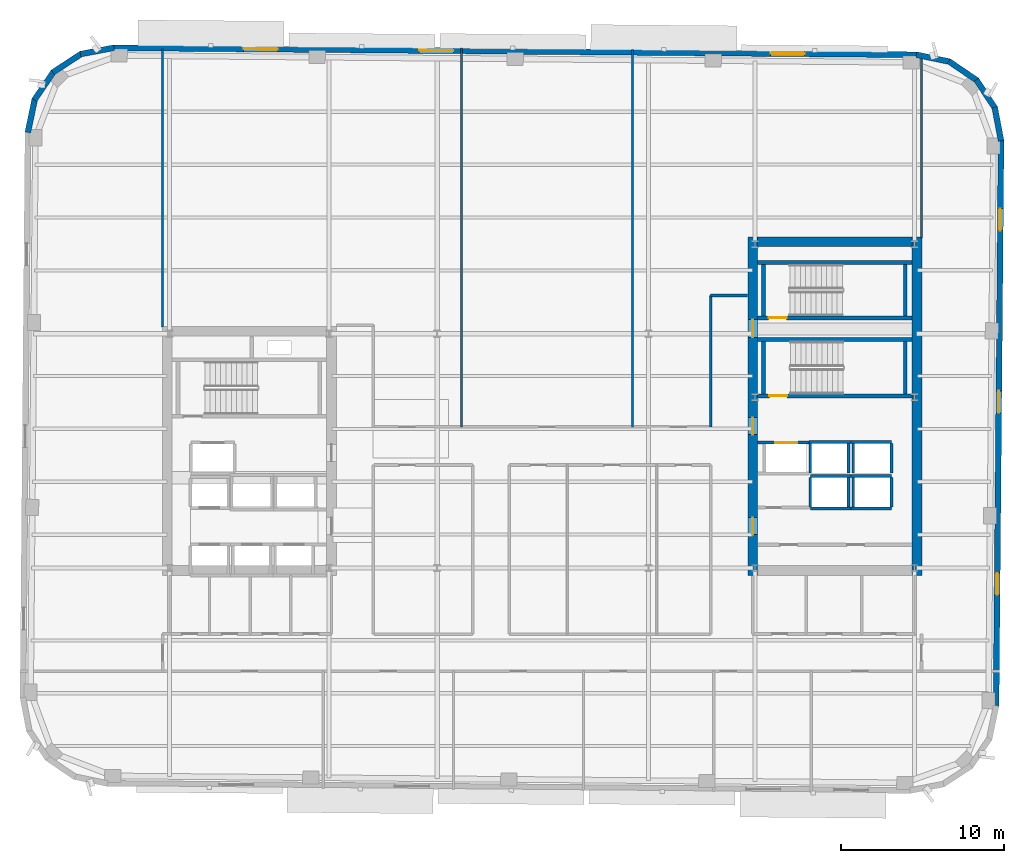
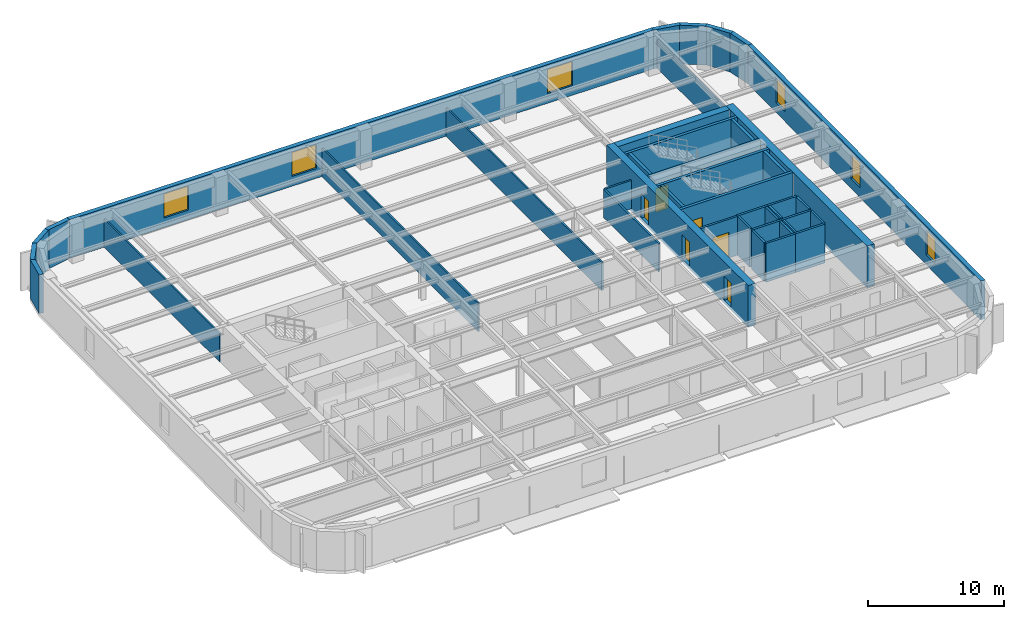
# One storey, part 6 of 12: 42 walls, 6 doors, 6 windows, 12 openings.
"""IFC4 building model written with IfcOpenShell, lengths in metres."""

from ifc_helpers import new_model, si_unit, direction, frame, frame_2d, origin, place, context, subcontext, project, spatial, rectangle, extrude, material, layer, layer_set, type_object, element, fill, save


model = new_model("IFC4")

# Units and contexts
model_context = context("Model", 3, precision=1e-05, world=origin(), true_north=direction((0.0, 1.0)))
body_context = subcontext(model_context, "Body", "Model", "MODEL_VIEW")
ifc_project = project(units=[si_unit("LENGTHUNIT", "METRE"), si_unit("AREAUNIT", "SQUARE_METRE"), si_unit("VOLUMEUNIT", "CUBIC_METRE"), si_unit("PLANEANGLEUNIT", "RADIAN"), si_unit("MASSUNIT", "GRAM", prefix="KILO")], contexts=[model_context])

# Site, building, storey
site_placement = place(None, origin())
site = spatial("IfcSite", under=ifc_project, at=site_placement, CompositionType="ELEMENT")
building_placement = place(site_placement, origin())
building = spatial("IfcBuilding", under=site, at=building_placement, Name="Kolvaren Arena Tower", CompositionType="ELEMENT")
storey_placement = place(building_placement, frame((0.0, 0.0, 199.699951171875)))
storey = spatial("IfcBuildingStorey", under=building, at=storey_placement, Name="L48", CompositionType="ELEMENT", Elevation=199.699951171875)

# Walls
ifc_material_1 = material(Name="Gypsum board acoustic assembly", Category="gypsum")
ifc_layer_1 = layer(ifc_material_1, 0.159912109375)
ifc_layer_set_1 = layer_set([ifc_layer_1], Name="Gypsum board acoustic assembly")
wall_type_1 = type_object("IfcWallType", Name="CORR-160", PredefinedType="PARTITIONING", material=ifc_layer_set_1)
wall_1_placement = place(storey_placement, frame((47.820068359375, 28.1201171875, 0.0), z_axis=(0.0, 0.0, 1.0), x_axis=(0.0, 1.0, 0.0)))
element("IfcWall", 1, at=wall_1_placement, inside=storey, type_object=wall_type_1, Name="Interior Partition Wall (L48)", PredefinedType="PARTITIONING", context=body_context, shape_type="SweptSolid", body=[
    extrude(rectangle(XDim=8.079833984375, YDim=0.159912109375, at=frame_2d((4.0400390625, 0.0))), origin(), (0.0, 0.0, 1.0), 2.5400390625),
])
wall_2_placement = place(storey_placement, frame((47.820068359375, 36.199951171875, 0.0), z_axis=(0.0, 0.0, 1.0), x_axis=(1.0, 0.0, 0.0)))
element("IfcWall", 2, at=wall_2_placement, inside=storey, type_object=wall_type_1, Name="Interior Partition Wall (L48)", PredefinedType="PARTITIONING", context=body_context, shape_type="SweptSolid", body=[
    extrude(rectangle(XDim=2.260009765625, YDim=0.159912109375, at=frame_2d((1.1298828125, 0.0))), origin(), (0.0, 0.0, 1.0), 2.5400390625),
])

# Wall, openings, doors
ifc_material_2 = material(Name="Concrete 60 MPa", Category="concrete")
ifc_layer_2 = layer(ifc_material_2, 0.60009765625)
ifc_layer_set_2 = layer_set([ifc_layer_2], Name="Concrete 60 MPa")
wall_type_2 = type_object("IfcWallType", Name="CWALL-600", PredefinedType="SHEAR", material=ifc_layer_set_2)
wall_3_placement = place(storey_placement, frame((50.39990234375, 19.0, -0.27001953125), z_axis=(0.0, 0.0, 1.0), x_axis=(0.0, 1.0, 0.0)))
wall_3 = element("IfcWall", 3, at=wall_3_placement, inside=storey, type_object=wall_type_2, Name="Core Shear Wall EC-WEST (L48)", PredefinedType="SHEAR", context=body_context, shape_type="SweptSolid", body=[
    extrude(rectangle(XDim=20.800048828125, YDim=0.60009765625, at=frame_2d((10.39990234375, 0.0))), origin(), (0.0, 0.0, 1.0), 3.75),
])
opening_1_placement = place(wall_3_placement, frame((2.5, 0.0, 0.27001953125)))
opening_1 = element("IfcOpeningElement", 4, at=opening_1_placement, cuts=wall_3, Name="Opening D04", PredefinedType="OPENING", context=body_context, shape_type="SweptSolid", body=[
    extrude(rectangle(XDim=1.050048828125, YDim=2.14990234375, at=frame_2d((0.52490234375, 1.074951171875))), frame((0.0, 0.31005859375, 0.0), z_axis=(0.0, -1.0, 0.0), x_axis=(1.0, 0.0, 0.0)), (0.0, 0.0, 1.0), 0.6201171875),
])
opening_2_placement = place(wall_3_placement, frame((8.64990234375, 0.0, 0.27001953125)))
opening_2 = element("IfcOpeningElement", 5, at=opening_2_placement, cuts=wall_3, Name="Opening D04", PredefinedType="OPENING", context=body_context, shape_type="SweptSolid", body=[
    extrude(rectangle(XDim=1.050048828125, YDim=2.14990234375, at=frame_2d((0.52490234375, 1.074951171875))), frame((0.0, 0.31005859375, 0.0), z_axis=(0.0, -1.0, 0.0), x_axis=(1.0, 0.0, 0.0)), (0.0, 0.0, 1.0), 0.6201171875),
])
opening_3_placement = place(wall_3_placement, frame((14.6201171875, 0.0, 0.27001953125)))
opening_3 = element("IfcOpeningElement", 6, at=opening_3_placement, cuts=wall_3, Name="Opening D03", PredefinedType="OPENING", context=body_context, shape_type="SweptSolid", body=[
    extrude(rectangle(XDim=1.10009765625, YDim=2.14990234375, at=frame_2d((0.550048828125, 1.074951171875))), frame((0.0, 0.31005859375, 0.0), z_axis=(0.0, -1.0, 0.0), x_axis=(1.0, 0.0, 0.0)), (0.0, 0.0, 1.0), 0.6201171875),
])
ifc_material_3 = material(Name="Fire-rated steel lobby door", Category="steel")
door_type_1 = type_object("IfcDoorType", Name="DOOR-FF-105", OperationType="NOTDEFINED", PredefinedType="DOOR", material=ifc_material_3)
door_1_placement = place(opening_1_placement, origin())
door_1 = element("IfcDoor", 7, at=door_1_placement, inside=storey, type_object=door_type_1, Name="East Lift Lobby Fire Door (L48)", OperationType="SINGLE_SWING_RIGHT", OverallHeight=2.14990234375, OverallWidth=1.050048828125, PredefinedType="DOOR", context=body_context, shape_type="SweptSolid", body=[
    extrude(rectangle(XDim=1.050048828125, YDim=2.14990234375, at=frame_2d((0.52490234375, 1.074951171875))), frame((0.0, 0.02490234375, 0.0), z_axis=(0.0, -1.0, 0.0), x_axis=(1.0, 0.0, 0.0)), (0.0, 0.0, 1.0), 0.050048828125),
])
fill(opening_1, door_1)
door_2_placement = place(opening_2_placement, origin())
door_2 = element("IfcDoor", 8, at=door_2_placement, inside=storey, type_object=door_type_1, Name="East Firefighter Vestibule Door (L48)", OperationType="SINGLE_SWING_LEFT", OverallHeight=2.14990234375, OverallWidth=1.050048828125, PredefinedType="DOOR", context=body_context, shape_type="SweptSolid", body=[
    extrude(rectangle(XDim=1.050048828125, YDim=2.14990234375, at=frame_2d((0.52490234375, 1.074951171875))), frame((0.0, 0.02490234375, 0.0), z_axis=(0.0, -1.0, 0.0), x_axis=(1.0, 0.0, 0.0)), (0.0, 0.0, 1.0), 0.050048828125),
])
fill(opening_2, door_2)
ifc_material_4 = material(Name="Fire-rated steel exit stair door", Category="steel")
door_type_2 = type_object("IfcDoorType", Name="DOOR-ST-110", OperationType="NOTDEFINED", PredefinedType="DOOR", material=ifc_material_4)
door_3_placement = place(opening_3_placement, origin())
door_3 = element("IfcDoor", 9, at=door_3_placement, inside=storey, type_object=door_type_2, Name="Stair ST-E2 Vestibule Fire Door (L48)", OperationType="SINGLE_SWING_LEFT", OverallHeight=2.14990234375, OverallWidth=1.10009765625, PredefinedType="DOOR", context=body_context, shape_type="SweptSolid", body=[
    extrude(rectangle(XDim=1.10009765625, YDim=2.14990234375, at=frame_2d((0.550048828125, 1.074951171875))), frame((0.0, 0.02490234375, 0.0), z_axis=(0.0, -1.0, 0.0), x_axis=(1.0, 0.0, 0.0)), (0.0, 0.0, 1.0), 0.050048828125),
])
fill(opening_3, door_3)

# Walls
wall_4_placement = place(storey_placement, frame((60.5, 19.0, -0.27001953125), z_axis=(0.0, 0.0, 1.0), x_axis=(0.0, 1.0, 0.0)))
element("IfcWall", 10, at=wall_4_placement, inside=storey, type_object=wall_type_2, Name="Core Shear Wall EC-EAST (L48)", PredefinedType="SHEAR", context=body_context, shape_type="SweptSolid", body=[
    extrude(rectangle(XDim=20.800048828125, YDim=0.60009765625, at=frame_2d((10.39990234375, 0.0))), origin(), (0.0, 0.0, 1.0), 3.75),
])
wall_5_placement = place(storey_placement, frame((50.699951171875, 39.5, -0.27001953125), z_axis=(0.0, 0.0, 1.0), x_axis=(1.0, 0.0, 0.0)))
element("IfcWall", 11, at=wall_5_placement, inside=storey, type_object=wall_type_2, Name="Core Shear Wall EC-NORTH (L48)", PredefinedType="SHEAR", context=body_context, shape_type="SweptSolid", body=[
    extrude(rectangle(XDim=9.5, YDim=0.60009765625, at=frame_2d((4.75, 0.0))), origin(), (0.0, 0.0, 1.0), 3.75),
])

# Wall, openings, windows
ifc_material_5 = material(Name="Precast concrete C50/60", Category="concrete")
ifc_layer_3 = layer(ifc_material_5, 0.360107421875)
ifc_layer_set_3 = layer_set([ifc_layer_3], Name="Precast concrete C50/60")
wall_type_3 = type_object("IfcWallType", Name="EXT-PIER2", PredefinedType="SOLIDWALL", material=ifc_layer_set_3)
wall_6_placement = place(storey_placement, frame((65.670654296875, 45.73828125, 0.0), z_axis=(0.0, 0.0, 1.0), x_axis=(-0.008727348535, -0.999961915969, 0.0)))
wall_6 = element("IfcWall", 12, at=wall_6_placement, inside=storey, type_object=wall_type_3, Name="Exterior Precast Masonry-Frame Wall (L48)", PredefinedType="SOLIDWALL", context=body_context, shape_type="SweptSolid", body=[
    extrude(rectangle(XDim=34.7998046875, YDim=0.360107421875, at=frame_2d((17.39990234375, 0.0))), origin(), (0.0, 0.0, 1.0), 3.47998046875),
])
opening_4_placement = place(wall_6_placement, frame((4.199951171875, 0.0, 0.8798828125)))
opening_4 = element("IfcOpeningElement", 13, at=opening_4_placement, cuts=wall_6, Name="Opening W04", PredefinedType="OPENING", context=body_context, shape_type="SweptSolid", body=[
    extrude(rectangle(XDim=1.35009765625, YDim=2.199951171875, at=frame_2d((0.675048828125, 1.10009765625))), frame((0.0, 0.18994140625, 0.0), z_axis=(0.0, -1.0, 0.0), x_axis=(1.0, 0.0, 0.0)), (0.0, 0.0, 1.0), 0.380126953125),
])
opening_5_placement = place(wall_6_placement, frame((15.39990234375, 0.0, 0.8798828125)))
opening_5 = element("IfcOpeningElement", 14, at=opening_5_placement, cuts=wall_6, Name="Opening W04", PredefinedType="OPENING", context=body_context, shape_type="SweptSolid", body=[
    extrude(rectangle(XDim=1.35009765625, YDim=2.199951171875, at=frame_2d((0.675048828125, 1.10009765625))), frame((0.0, 0.18994140625, 0.0), z_axis=(0.0, -1.0, 0.0), x_axis=(1.0, 0.0, 0.0)), (0.0, 0.0, 1.0), 0.380126953125),
])
opening_6_placement = place(wall_6_placement, frame((26.60009765625, 0.0, 0.8798828125)))
opening_6 = element("IfcOpeningElement", 15, at=opening_6_placement, cuts=wall_6, Name="Opening W04", PredefinedType="OPENING", context=body_context, shape_type="SweptSolid", body=[
    extrude(rectangle(XDim=1.35009765625, YDim=2.199951171875, at=frame_2d((0.675048828125, 1.10009765625))), frame((0.0, 0.18994140625, 0.0), z_axis=(0.0, -1.0, 0.0), x_axis=(1.0, 0.0, 0.0)), (0.0, 0.0, 1.0), 0.380126953125),
])
ifc_material_6 = material(Name="Triple-glazed curved-facet corner window", Category="glass")
window_type_1 = type_object("IfcWindowType", Name="WIN-CRN-A", PartitioningType="SINGLE_PANEL", PredefinedType="WINDOW", material=ifc_material_6)
window_1_placement = place(opening_4_placement, origin())
window_1 = element("IfcWindow", 16, at=window_1_placement, inside=storey, type_object=window_type_1, Name="End-Wall Punched Window (L48)", OverallHeight=2.199951171875, OverallWidth=1.35009765625, PartitioningType="SINGLE_PANEL", PredefinedType="WINDOW", context=body_context, shape_type="SweptSolid", body=[
    extrude(rectangle(XDim=1.35009765625, YDim=2.199951171875, at=frame_2d((0.675048828125, 1.10009765625))), frame((0.0, 0.030029296875, 0.0), z_axis=(0.0, -1.0, 0.0), x_axis=(1.0, 0.0, 0.0)), (0.0, 0.0, 1.0), 0.06005859375),
])
fill(opening_4, window_1)
window_2_placement = place(opening_5_placement, origin())
window_2 = element("IfcWindow", 17, at=window_2_placement, inside=storey, type_object=window_type_1, Name="End-Wall Punched Window (L48)", OverallHeight=2.199951171875, OverallWidth=1.35009765625, PartitioningType="SINGLE_PANEL", PredefinedType="WINDOW", context=body_context, shape_type="SweptSolid", body=[
    extrude(rectangle(XDim=1.35009765625, YDim=2.199951171875, at=frame_2d((0.675048828125, 1.10009765625))), frame((0.0, 0.030029296875, 0.0), z_axis=(0.0, -1.0, 0.0), x_axis=(1.0, 0.0, 0.0)), (0.0, 0.0, 1.0), 0.06005859375),
])
fill(opening_5, window_2)
window_3_placement = place(opening_6_placement, origin())
window_3 = element("IfcWindow", 18, at=window_3_placement, inside=storey, type_object=window_type_1, Name="End-Wall Punched Window (L48)", OverallHeight=2.199951171875, OverallWidth=1.35009765625, PartitioningType="SINGLE_PANEL", PredefinedType="WINDOW", context=body_context, shape_type="SweptSolid", body=[
    extrude(rectangle(XDim=1.35009765625, YDim=2.199951171875, at=frame_2d((0.675048828125, 1.10009765625))), frame((0.0, 0.030029296875, 0.0), z_axis=(0.0, -1.0, 0.0), x_axis=(1.0, 0.0, 0.0)), (0.0, 0.0, 1.0), 0.06005859375),
])
fill(opening_6, window_3)

# Walls
wall_7_placement = place(storey_placement, frame((65.281005859375, 47.773193359375, 0.0), z_axis=(0.0, 0.0, 1.0), x_axis=(0.186435855703, -0.98246713518, 0.0)))
element("IfcWall", 19, at=wall_7_placement, inside=storey, type_object=wall_type_3, Name="Exterior Precast Masonry-Frame Wall (L48)", PredefinedType="SOLIDWALL", context=body_context, shape_type="SweptSolid", body=[
    extrude(rectangle(XDim=2.10693359375, YDim=0.360107421875, at=frame_2d((1.053466796875, 0.0))), origin(), (0.0, 0.0, 1.0), 3.47998046875),
])
wall_8_placement = place(storey_placement, frame((64.152099609375, 49.469970703125, 0.0), z_axis=(0.0, 0.0, 1.0), x_axis=(0.548238722478, -0.83632188969, 0.0)))
element("IfcWall", 20, at=wall_8_placement, inside=storey, type_object=wall_type_3, Name="Exterior Precast Masonry-Frame Wall (L48)", PredefinedType="SOLIDWALL", context=body_context, shape_type="SweptSolid", body=[
    extrude(rectangle(XDim=2.106689453125, YDim=0.360107421875, at=frame_2d((1.05322265625, 0.0))), origin(), (0.0, 0.0, 1.0), 3.47998046875),
])
wall_9_placement = place(storey_placement, frame((62.45947265625, 50.605712890625, 0.0), z_axis=(0.0, 0.0, 1.0), x_axis=(0.826609569219, -0.56277581689, 0.0)))
element("IfcWall", 21, at=wall_9_placement, inside=storey, type_object=wall_type_3, Name="Exterior Precast Masonry-Frame Wall (L48)", PredefinedType="SOLIDWALL", context=body_context, shape_type="SweptSolid", body=[
    extrude(rectangle(XDim=2.10693359375, YDim=0.360107421875, at=frame_2d((1.053466796875, 0.0))), origin(), (0.0, 0.0, 1.0), 3.47998046875),
])
wall_10_placement = place(storey_placement, frame((60.461181640625, 51.00732421875, 0.0), z_axis=(0.0, 0.0, 1.0), x_axis=(0.979059388908, -0.203574833883, 0.0)))
element("IfcWall", 22, at=wall_10_placement, inside=storey, type_object=wall_type_3, Name="Exterior Precast Masonry-Frame Wall (L48)", PredefinedType="SOLIDWALL", context=body_context, shape_type="SweptSolid", body=[
    extrude(rectangle(XDim=2.107177734375, YDim=0.360107421875, at=frame_2d((1.0537109375, 0.0))), origin(), (0.0, 0.0, 1.0), 3.47998046875),
])

# Wall, openings, windows
wall_11_placement = place(storey_placement, frame((11.098388671875, 51.434814453125, 0.0), z_axis=(0.0, 0.0, 1.0), x_axis=(0.99996191194, -0.008727810138, 0.0)))
wall_11 = element("IfcWall", 23, at=wall_11_placement, inside=storey, type_object=wall_type_3, Name="Exterior Precast Masonry-Frame Wall (L48)", PredefinedType="SOLIDWALL", context=body_context, shape_type="SweptSolid", body=[
    extrude(rectangle(XDim=49.39990234375, YDim=0.360107421875, at=frame_2d((24.699951171875, 0.0))), origin(), (0.0, 0.0, 1.0), 3.47998046875),
])
opening_7_placement = place(wall_11_placement, frame((8.0, 0.0, 0.8798828125)))
opening_7 = element("IfcOpeningElement", 24, at=opening_7_placement, cuts=wall_11, Name="Opening W01", PredefinedType="OPENING", context=body_context, shape_type="SweptSolid", body=[
    extrude(rectangle(XDim=2.10009765625, YDim=2.14990234375, at=frame_2d((1.050048828125, 1.074951171875))), frame((0.0, 0.18994140625, 0.0), z_axis=(0.0, -1.0, 0.0), x_axis=(1.0, 0.0, 0.0)), (0.0, 0.0, 1.0), 0.380126953125),
])
opening_8_placement = place(wall_11_placement, frame((18.800048828125, 0.0, 0.8798828125)))
opening_8 = element("IfcOpeningElement", 25, at=opening_8_placement, cuts=wall_11, Name="Opening W01", PredefinedType="OPENING", context=body_context, shape_type="SweptSolid", body=[
    extrude(rectangle(XDim=2.10009765625, YDim=2.14990234375, at=frame_2d((1.050048828125, 1.074951171875))), frame((0.0, 0.18994140625, 0.0), z_axis=(0.0, -1.0, 0.0), x_axis=(1.0, 0.0, 0.0)), (0.0, 0.0, 1.0), 0.380126953125),
])
opening_9_placement = place(wall_11_placement, frame((40.39990234375, 0.0, 0.8798828125)))
opening_9 = element("IfcOpeningElement", 26, at=opening_9_placement, cuts=wall_11, Name="Opening W01", PredefinedType="OPENING", context=body_context, shape_type="SweptSolid", body=[
    extrude(rectangle(XDim=2.10009765625, YDim=2.14990234375, at=frame_2d((1.050048828125, 1.074951171875))), frame((0.0, 0.18994140625, 0.0), z_axis=(0.0, -1.0, 0.0), x_axis=(1.0, 0.0, 0.0)), (0.0, 0.0, 1.0), 0.380126953125),
])
ifc_material_7 = material(Name="Triple-glazed low-E aluminium window", Category="aluminium")
window_type_2 = type_object("IfcWindowType", Name="WIN-OFF-A", PartitioningType="DOUBLE_PANEL_VERTICAL", PredefinedType="WINDOW", material=ifc_material_7)
window_4_placement = place(opening_7_placement, origin())
window_4 = element("IfcWindow", 27, at=window_4_placement, inside=storey, type_object=window_type_2, Name="Punched Precast-Pier Window (L48)", OverallHeight=2.14990234375, OverallWidth=2.10009765625, PartitioningType="DOUBLE_PANEL_VERTICAL", PredefinedType="WINDOW", context=body_context, shape_type="SweptSolid", body=[
    extrude(rectangle(XDim=2.10009765625, YDim=2.14990234375, at=frame_2d((1.050048828125, 1.074951171875))), frame((0.0, 0.030029296875, 0.0), z_axis=(0.0, -1.0, 0.0), x_axis=(1.0, 0.0, 0.0)), (0.0, 0.0, 1.0), 0.06005859375),
])
fill(opening_7, window_4)
window_5_placement = place(opening_8_placement, origin())
window_5 = element("IfcWindow", 28, at=window_5_placement, inside=storey, type_object=window_type_2, Name="Punched Precast-Pier Window (L48)", OverallHeight=2.14990234375, OverallWidth=2.10009765625, PartitioningType="DOUBLE_PANEL_VERTICAL", PredefinedType="WINDOW", context=body_context, shape_type="SweptSolid", body=[
    extrude(rectangle(XDim=2.10009765625, YDim=2.14990234375, at=frame_2d((1.050048828125, 1.074951171875))), frame((0.0, 0.030029296875, 0.0), z_axis=(0.0, -1.0, 0.0), x_axis=(1.0, 0.0, 0.0)), (0.0, 0.0, 1.0), 0.06005859375),
])
fill(opening_8, window_5)
window_6_placement = place(opening_9_placement, origin())
window_6 = element("IfcWindow", 29, at=window_6_placement, inside=storey, type_object=window_type_2, Name="Punched Precast-Pier Window (L48)", OverallHeight=2.14990234375, OverallWidth=2.10009765625, PartitioningType="DOUBLE_PANEL_VERTICAL", PredefinedType="WINDOW", context=body_context, shape_type="SweptSolid", body=[
    extrude(rectangle(XDim=2.10009765625, YDim=2.14990234375, at=frame_2d((1.050048828125, 1.074951171875))), frame((0.0, 0.030029296875, 0.0), z_axis=(0.0, -1.0, 0.0), x_axis=(1.0, 0.0, 0.0)), (0.0, 0.0, 1.0), 0.06005859375),
])
fill(opening_9, window_6)

# Walls
wall_12_placement = place(storey_placement, frame((9.0634765625, 51.044921875, 0.0), z_axis=(0.0, 0.0, 1.0), x_axis=(0.982445905584, 0.186547695246, 0.0)))
element("IfcWall", 30, at=wall_12_placement, inside=storey, type_object=wall_type_3, Name="Exterior Precast Masonry-Frame Wall (L48)", PredefinedType="SOLIDWALL", context=body_context, shape_type="SweptSolid", body=[
    extrude(rectangle(XDim=2.107177734375, YDim=0.360107421875, at=frame_2d((1.0537109375, 0.0))), origin(), (0.0, 0.0, 1.0), 3.47998046875),
])
for number, where, z_axis, x_axis, name in (
    (31, (7.36669921875, 49.916015625, 0.0), (0.0, 0.0, 1.0), (0.836268756678, 0.548319766745, 0.0), "Exterior Precast Masonry-Frame Wall (L48)"),
    (32, (6.23095703125, 48.223388671875, 0.0), (0.0, 0.0, 1.0), (0.56277581689, 0.826609569219, 0.0), "Exterior Precast Masonry-Frame Wall (L48)"),
    (33, (5.8291015625, 46.225341796875, 0.0), (0.0, 0.0, 1.0), (0.203709000552, 0.979031482177, 0.0), "Exterior Precast Masonry-Frame Wall (L48)"),
):
    element("IfcWall", number, at=place(storey_placement, frame(where, z_axis=z_axis, x_axis=x_axis)), inside=storey, type_object=wall_type_3, Name=name, PredefinedType="SOLIDWALL", context=body_context, shape_type="SweptSolid", body=[
        extrude(rectangle(XDim=2.10693359375, YDim=0.360107421875, at=frame_2d((1.053466796875, 0.0))), origin(), (0.0, 0.0, 1.0), 3.47998046875),
    ])
ifc_material_8 = material(Name="Gypsum board partition assembly", Category="gypsum")
ifc_layer_4 = layer(ifc_material_8, 0.135009765625)
ifc_layer_set_4 = layer_set([ifc_layer_4], Name="Gypsum board partition assembly")
wall_type_4 = type_object("IfcWallType", Name="PART-135", PredefinedType="PARTITIONING", material=ifc_layer_set_4)
wall_13_placement = place(storey_placement, frame((32.5, 28.1201171875, 0.0), z_axis=(0.0, 0.0, 1.0), x_axis=(0.0, 1.0, 0.0)))
element("IfcWall", 34, at=wall_13_placement, inside=storey, type_object=wall_type_4, Name="Interior Partition Wall (L48)", PredefinedType="PARTITIONING", context=body_context, shape_type="SweptSolid", body=[
    extrude(rectangle(XDim=23.307861328125, YDim=0.135009765625, at=frame_2d((11.65380859375, 0.0))), origin(), (0.0, 0.0, 1.0), 2.5400390625),
])
wall_14_placement = place(storey_placement, frame((43.0, 28.1201171875, 0.0), z_axis=(0.0, 0.0, 1.0), x_axis=(0.0, 1.0, 0.0)))
element("IfcWall", 35, at=wall_14_placement, inside=storey, type_object=wall_type_4, Name="Interior Partition Wall (L48)", PredefinedType="PARTITIONING", context=body_context, shape_type="SweptSolid", body=[
    extrude(rectangle(XDim=23.216064453125, YDim=0.135009765625, at=frame_2d((11.60791015625, 0.0))), origin(), (0.0, 0.0, 1.0), 2.5400390625),
])
wall_15_placement = place(storey_placement, frame((14.1201171875, 34.25, 0.0), z_axis=(0.0, 0.0, 1.0), x_axis=(0.0, 1.0, 0.0)))
element("IfcWall", 36, at=wall_15_placement, inside=storey, type_object=wall_type_4, Name="Interior Partition Wall (L48)", PredefinedType="PARTITIONING", context=body_context, shape_type="SweptSolid", body=[
    extrude(rectangle(XDim=17.098388671875, YDim=0.135009765625, at=frame_2d((8.54931640625, 0.0))), origin(), (0.0, 0.0, 1.0), 2.5400390625),
])
wall_16_placement = place(storey_placement, frame((60.780029296875, 39.75, 0.0), z_axis=(0.0, 0.0, 1.0), x_axis=(0.0, 1.0, 0.0)))
element("IfcWall", 37, at=wall_16_placement, inside=storey, type_object=wall_type_4, Name="Interior Partition Wall (L48)", PredefinedType="PARTITIONING", context=body_context, shape_type="SweptSolid", body=[
    extrude(rectangle(XDim=11.1298828125, YDim=0.135009765625, at=frame_2d((5.56494140625, 0.0))), origin(), (0.0, 0.0, 1.0), 2.5400390625),
])

# Wall, opening, door
ifc_material_9 = material(Name="Concrete 45 MPa", Category="concrete")
ifc_layer_5 = layer(ifc_material_9, 0.25)
ifc_layer_set_5 = layer_set([ifc_layer_5], Name="Concrete 45 MPa")
wall_type_5 = type_object("IfcWallType", Name="SHAFT-250", PredefinedType="SOLIDWALL", material=ifc_layer_set_5)
wall_17_placement = place(storey_placement, frame((60.199951171875, 30.030029296875, 0.0), z_axis=(0.0, 0.0, 1.0), x_axis=(-1.0, 0.0, 0.0)))
wall_17 = element("IfcWall", 38, at=wall_17_placement, inside=storey, type_object=wall_type_5, Name="Core Shaft Wall (L48)", PredefinedType="SOLIDWALL", context=body_context, shape_type="SweptSolid", body=[
    extrude(rectangle(XDim=9.5, YDim=0.239990234375, at=frame_2d((4.75, 0.0))), origin(), (0.0, 0.0, 1.0), 3.47998046875),
])
opening_10_placement = place(wall_17_placement, frame((7.679931640625, 0.0, 0.0)))
opening_10 = element("IfcOpeningElement", 39, at=opening_10_placement, cuts=wall_17, Name="Opening D03", PredefinedType="OPENING", context=body_context, shape_type="SweptSolid", body=[
    extrude(rectangle(XDim=1.10009765625, YDim=2.14990234375, at=frame_2d((0.550048828125, 1.074951171875))), frame((0.0, 0.1298828125, 0.0), z_axis=(0.0, -1.0, 0.0), x_axis=(1.0, 0.0, 0.0)), (0.0, 0.0, 1.0), 0.260009765625),
])
door_4_placement = place(opening_10_placement, origin())
door_4 = element("IfcDoor", 40, at=door_4_placement, inside=storey, type_object=door_type_2, Name="Stair ST-E1 Fire Door (L48)", OperationType="SINGLE_SWING_LEFT", OverallHeight=2.14990234375, OverallWidth=1.10009765625, PredefinedType="DOOR", context=body_context, shape_type="SweptSolid", body=[
    extrude(rectangle(XDim=1.10009765625, YDim=2.14990234375, at=frame_2d((0.550048828125, 1.074951171875))), frame((0.0, 0.02490234375, 0.0), z_axis=(0.0, -1.0, 0.0), x_axis=(1.0, 0.0, 0.0)), (0.0, 0.0, 1.0), 0.050048828125),
])
fill(opening_10, door_4)

# Walls
wall_18_placement = place(storey_placement, frame((50.699951171875, 33.5, 0.0), z_axis=(0.0, 0.0, 1.0), x_axis=(1.0, 0.0, 0.0)))
element("IfcWall", 41, at=wall_18_placement, inside=storey, type_object=wall_type_5, Name="Core Shaft Wall (L48)", PredefinedType="SOLIDWALL", context=body_context, shape_type="SweptSolid", body=[
    extrude(rectangle(XDim=9.5, YDim=0.239990234375, at=frame_2d((4.75, 0.0))), origin(), (0.0, 0.0, 1.0), 3.47998046875),
])
for number, where, z_axis, x_axis, name in (
    (42, (51.06005859375, 30.14990234375, 0.0), (0.0, 0.0, 1.0), (0.0, 1.0, 0.0), "Core Shaft Wall (L48)"),
    (43, (59.780029296875, 30.14990234375, 0.0), (0.0, 0.0, 1.0), (0.0, 1.0, 0.0), "Core Shaft Wall (L48)"),
):
    element("IfcWall", number, at=place(storey_placement, frame(where, z_axis=z_axis, x_axis=x_axis)), inside=storey, type_object=wall_type_5, Name=name, PredefinedType="SOLIDWALL", context=body_context, shape_type="SweptSolid", body=[
        extrude(rectangle(XDim=3.22998046875, YDim=0.239990234375, at=frame_2d((1.614990234375, 0.0))), origin(), (0.0, 0.0, 1.0), 3.47998046875),
    ])

# Wall, opening, door
wall_19_placement = place(storey_placement, frame((60.199951171875, 34.830078125, 0.0), z_axis=(0.0, 0.0, 1.0), x_axis=(-1.0, 0.0, 0.0)))
wall_19 = element("IfcWall", 44, at=wall_19_placement, inside=storey, type_object=wall_type_5, Name="Core Shaft Wall (L48)", PredefinedType="SOLIDWALL", context=body_context, shape_type="SweptSolid", body=[
    extrude(rectangle(XDim=9.5, YDim=0.239990234375, at=frame_2d((4.75, 0.0))), origin(), (0.0, 0.0, 1.0), 3.47998046875),
])
opening_11_placement = place(wall_19_placement, frame((7.719970703125, 0.0, 0.0)))
opening_11 = element("IfcOpeningElement", 45, at=opening_11_placement, cuts=wall_19, Name="Opening D03", PredefinedType="OPENING", context=body_context, shape_type="SweptSolid", body=[
    extrude(rectangle(XDim=1.10009765625, YDim=2.14990234375, at=frame_2d((0.550048828125, 1.074951171875))), frame((0.0, 0.1298828125, 0.0), z_axis=(0.0, -1.0, 0.0), x_axis=(1.0, 0.0, 0.0)), (0.0, 0.0, 1.0), 0.260009765625),
])
door_5_placement = place(opening_11_placement, origin())
door_5 = element("IfcDoor", 46, at=door_5_placement, inside=storey, type_object=door_type_2, Name="Stair ST-E2 Fire Door (L48)", OperationType="SINGLE_SWING_LEFT", OverallHeight=2.14990234375, OverallWidth=1.10009765625, PredefinedType="DOOR", context=body_context, shape_type="SweptSolid", body=[
    extrude(rectangle(XDim=1.10009765625, YDim=2.14990234375, at=frame_2d((0.550048828125, 1.074951171875))), frame((0.0, 0.02490234375, 0.0), z_axis=(0.0, -1.0, 0.0), x_axis=(1.0, 0.0, 0.0)), (0.0, 0.0, 1.0), 0.050048828125),
])
fill(opening_11, door_5)

# Walls
wall_20_placement = place(storey_placement, frame((50.699951171875, 38.219970703125, 0.0), z_axis=(0.0, 0.0, 1.0), x_axis=(1.0, 0.0, 0.0)))
element("IfcWall", 47, at=wall_20_placement, inside=storey, type_object=wall_type_5, Name="Core Shaft Wall (L48)", PredefinedType="SOLIDWALL", context=body_context, shape_type="SweptSolid", body=[
    extrude(rectangle(XDim=9.5, YDim=0.239990234375, at=frame_2d((4.75, 0.0))), origin(), (0.0, 0.0, 1.0), 3.47998046875),
])
for number, where, z_axis, x_axis, name in (
    (48, (51.06005859375, 34.949951171875, 0.0), (0.0, 0.0, 1.0), (0.0, 1.0, 0.0), "Core Shaft Wall (L48)"),
    (49, (59.780029296875, 34.949951171875, 0.0), (0.0, 0.0, 1.0), (0.0, 1.0, 0.0), "Core Shaft Wall (L48)"),
):
    element("IfcWall", number, at=place(storey_placement, frame(where, z_axis=z_axis, x_axis=x_axis)), inside=storey, type_object=wall_type_5, Name=name, PredefinedType="SOLIDWALL", context=body_context, shape_type="SweptSolid", body=[
        extrude(rectangle(XDim=3.150146484375, YDim=0.239990234375, at=frame_2d((1.5751953125, 0.0))), origin(), (0.0, 0.0, 1.0), 3.47998046875),
    ])
for number, where, z_axis, x_axis, name in (
    (50, (53.93994140625, 25.10498046875, 0.0), (0.0, 0.0, 1.0), (1.0, 0.0, 0.0), "Core Shaft Wall (L48)"),
    (51, (53.93994140625, 23.094970703125, 0.0), (0.0, 0.0, 1.0), (1.0, 0.0, 0.0), "Core Shaft Wall (L48)"),
):
    element("IfcWall", number, at=place(storey_placement, frame(where, z_axis=z_axis, x_axis=x_axis)), inside=storey, type_object=wall_type_5, Name=name, PredefinedType="SOLIDWALL", context=body_context, shape_type="SweptSolid", body=[
        extrude(rectangle(XDim=2.5, YDim=0.179931640625, at=frame_2d((1.25, 0.0))), origin(), (0.0, 0.0, 1.0), 3.47998046875),
    ])
for number, where, z_axis, x_axis, name in (
    (52, (53.93994140625, 23.18505859375, 0.0), (0.0, 0.0, 1.0), (0.0, 1.0, 0.0), "Core Shaft Wall (L48)"),
    (53, (56.300048828125, 23.18505859375, 0.0), (0.0, 0.0, 1.0), (0.0, 1.0, 0.0), "Core Shaft Wall (L48)"),
):
    element("IfcWall", number, at=place(storey_placement, frame(where, z_axis=z_axis, x_axis=x_axis)), inside=storey, type_object=wall_type_5, Name=name, PredefinedType="SOLIDWALL", context=body_context, shape_type="SweptSolid", body=[
        extrude(rectangle(XDim=1.829833984375, YDim=0.179931640625, at=frame_2d((0.9150390625, 0.0))), origin(), (0.0, 0.0, 1.0), 3.47998046875),
    ])
for number, where, z_axis, x_axis, name in (
    (54, (56.43994140625, 25.10498046875, 0.0), (0.0, 0.0, 1.0), (1.0, 0.0, 0.0), "Core Shaft Wall (L48)"),
    (55, (56.43994140625, 23.094970703125, 0.0), (0.0, 0.0, 1.0), (1.0, 0.0, 0.0), "Core Shaft Wall (L48)"),
):
    element("IfcWall", number, at=place(storey_placement, frame(where, z_axis=z_axis, x_axis=x_axis)), inside=storey, type_object=wall_type_5, Name=name, PredefinedType="SOLIDWALL", context=body_context, shape_type="SweptSolid", body=[
        extrude(rectangle(XDim=2.5, YDim=0.179931640625, at=frame_2d((1.25, 0.0))), origin(), (0.0, 0.0, 1.0), 3.47998046875),
    ])
for number, where, z_axis, x_axis, name in (
    (56, (56.580078125, 23.18505859375, 0.0), (0.0, 0.0, 1.0), (0.0, 1.0, 0.0), "Core Shaft Wall (L48)"),
    (57, (58.93994140625, 23.18505859375, 0.0), (0.0, 0.0, 1.0), (0.0, 1.0, 0.0), "Core Shaft Wall (L48)"),
):
    element("IfcWall", number, at=place(storey_placement, frame(where, z_axis=z_axis, x_axis=x_axis)), inside=storey, type_object=wall_type_5, Name=name, PredefinedType="SOLIDWALL", context=body_context, shape_type="SweptSolid", body=[
        extrude(rectangle(XDim=1.829833984375, YDim=0.179931640625, at=frame_2d((0.9150390625, 0.0))), origin(), (0.0, 0.0, 1.0), 3.47998046875),
    ])
wall_21_placement = place(storey_placement, frame((53.864990234375, 27.205078125, 0.0), z_axis=(0.0, 0.0, 1.0), x_axis=(1.0, 0.0, 0.0)))
element("IfcWall", 58, at=wall_21_placement, inside=storey, type_object=wall_type_5, Name="Core Shaft Wall (L48)", PredefinedType="SOLIDWALL", context=body_context, shape_type="SweptSolid", body=[
    extrude(rectangle(XDim=2.574951171875, YDim=0.179931640625, at=frame_2d((1.28759765625, 0.0))), origin(), (0.0, 0.0, 1.0), 3.47998046875),
])
for number, where, z_axis, x_axis, name in (
    (59, (53.93994140625, 25.284912109375, 0.0), (0.0, 0.0, 1.0), (0.0, 1.0, 0.0), "Core Shaft Wall (L48)"),
    (60, (56.300048828125, 25.284912109375, 0.0), (0.0, 0.0, 1.0), (0.0, 1.0, 0.0), "Core Shaft Wall (L48)"),
):
    element("IfcWall", number, at=place(storey_placement, frame(where, z_axis=z_axis, x_axis=x_axis)), inside=storey, type_object=wall_type_5, Name=name, PredefinedType="SOLIDWALL", context=body_context, shape_type="SweptSolid", body=[
        extrude(rectangle(XDim=1.830078125, YDim=0.179931640625, at=frame_2d((0.9150390625, 0.0))), origin(), (0.0, 0.0, 1.0), 3.47998046875),
    ])
wall_22_placement = place(storey_placement, frame((56.43994140625, 27.205078125, 0.0), z_axis=(0.0, 0.0, 1.0), x_axis=(1.0, 0.0, 0.0)))
element("IfcWall", 61, at=wall_22_placement, inside=storey, type_object=wall_type_5, Name="Core Shaft Wall (L48)", PredefinedType="SOLIDWALL", context=body_context, shape_type="SweptSolid", body=[
    extrude(rectangle(XDim=2.5, YDim=0.179931640625, at=frame_2d((1.25, 0.0))), origin(), (0.0, 0.0, 1.0), 3.47998046875),
])
for number, where, z_axis, x_axis, name in (
    (62, (56.580078125, 25.284912109375, 0.0), (0.0, 0.0, 1.0), (0.0, 1.0, 0.0), "Core Shaft Wall (L48)"),
    (63, (58.93994140625, 25.284912109375, 0.0), (0.0, 0.0, 1.0), (0.0, 1.0, 0.0), "Core Shaft Wall (L48)"),
):
    element("IfcWall", number, at=place(storey_placement, frame(where, z_axis=z_axis, x_axis=x_axis)), inside=storey, type_object=wall_type_5, Name=name, PredefinedType="SOLIDWALL", context=body_context, shape_type="SweptSolid", body=[
        extrude(rectangle(XDim=1.830078125, YDim=0.179931640625, at=frame_2d((0.9150390625, 0.0))), origin(), (0.0, 0.0, 1.0), 3.47998046875),
    ])

# Wall, opening, door
wall_23_placement = place(storey_placement, frame((50.699951171875, 27.155029296875, 0.0), z_axis=(0.0, 0.0, 1.0), x_axis=(1.0, 0.0, 0.0)))
wall_23 = element("IfcWall", 64, at=wall_23_placement, inside=storey, type_object=wall_type_5, Name="Core Shaft Wall (L48)", PredefinedType="SOLIDWALL", context=body_context, shape_type="SweptSolid", body=[
    extrude(rectangle(XDim=3.1650390625, YDim=0.179931640625, at=frame_2d((1.58251953125, 0.0))), origin(), (0.0, 0.0, 1.0), 3.47998046875),
])
opening_12_placement = place(wall_23_placement, frame((1.0849609375, 0.0, 0.0)))
opening_12 = element("IfcOpeningElement", 65, at=opening_12_placement, cuts=wall_23, Name="Opening LD2", PredefinedType="OPENING", context=body_context, shape_type="SweptSolid", body=[
    extrude(rectangle(XDim=1.35009765625, YDim=2.300048828125, at=frame_2d((0.675048828125, 1.14990234375))), frame((0.0, 0.099853515625, 0.0), z_axis=(0.0, -1.0, 0.0), x_axis=(1.0, 0.0, 0.0)), (0.0, 0.0, 1.0), 0.199951171875),
])
ifc_material_10 = material(Name="Stainless steel firefighter lift landing door", Category="steel")
door_type_3 = type_object("IfcDoorType", Name="DOOR-LD-135", OperationType="DOUBLE_DOOR_SLIDING", PredefinedType="DOOR", material=ifc_material_10)
door_6_placement = place(opening_12_placement, origin())
door_6 = element("IfcDoor", 66, at=door_6_placement, inside=storey, type_object=door_type_3, Name="Firefighter Lift FF-E1 Landing Door (L48)", OperationType="DOUBLE_DOOR_SLIDING", OverallHeight=2.300048828125, OverallWidth=1.35009765625, PredefinedType="DOOR", context=body_context, shape_type="SweptSolid", body=[
    extrude(rectangle(XDim=1.35009765625, YDim=2.300048828125, at=frame_2d((0.675048828125, 1.14990234375))), frame((0.0, 0.02490234375, 0.0), z_axis=(0.0, -1.0, 0.0), x_axis=(1.0, 0.0, 0.0)), (0.0, 0.0, 1.0), 0.050048828125),
])
fill(opening_12, door_6)

save(model, "model.ifc")
